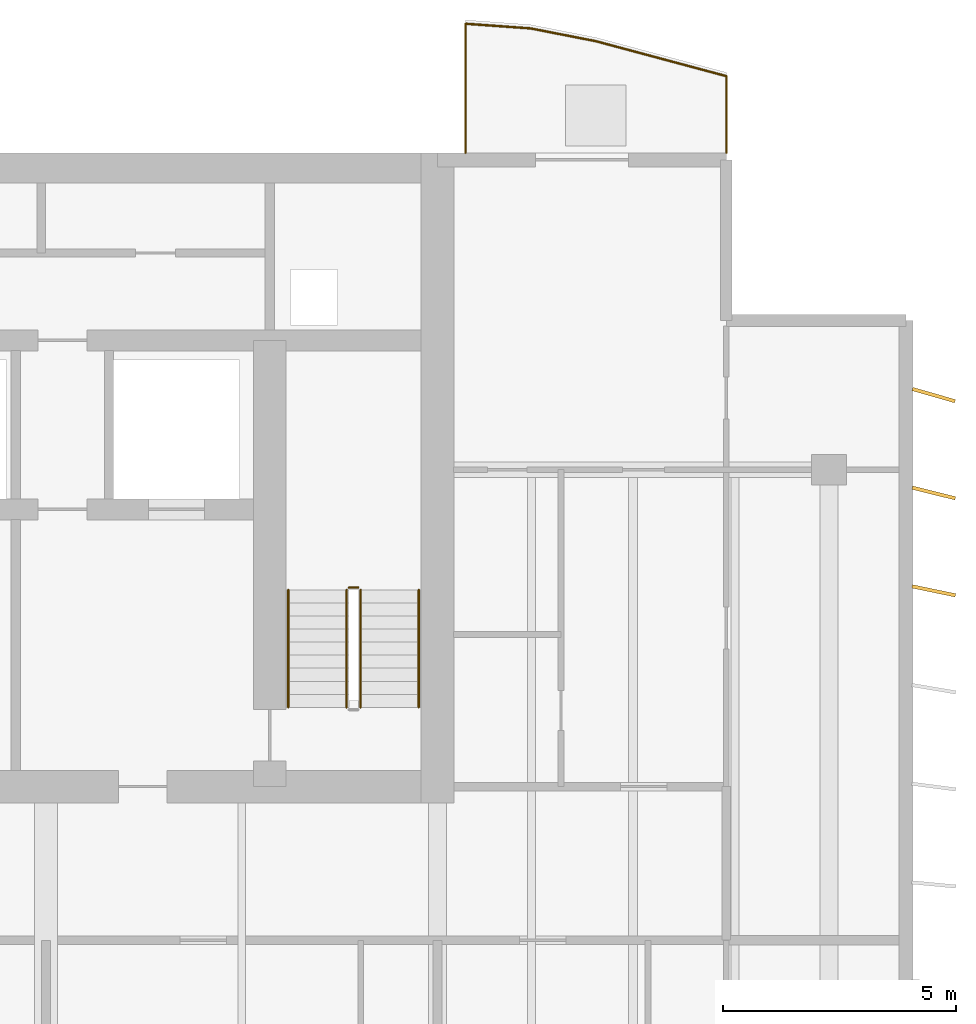
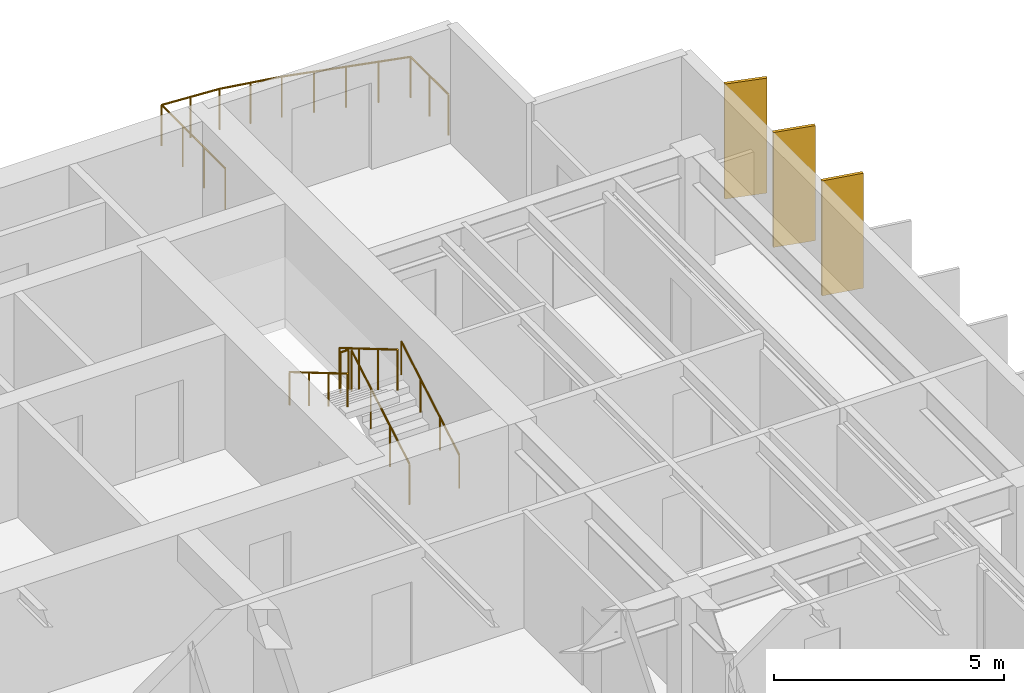
# One storey, part 17 of 17: 6 railings, 3 shading devices.
"""IFC4 building model written with IfcOpenShell, lengths in metres."""

from ifc_helpers import new_model, si_unit, direction, frame, origin, origin_2d, place, context, subcontext, project, spatial, rectangle, circle, extrude, material, material_profile, profile_set, type_object, element, save


model = new_model("IFC4")

# Units and contexts
model_context = context("Model", 3, precision=1e-05, world=origin(), true_north=direction((0.0, 1.0)))
body_context = subcontext(model_context, "Body", "Model", "MODEL_VIEW")
ifc_project = project(units=[si_unit("LENGTHUNIT", "METRE"), si_unit("AREAUNIT", "SQUARE_METRE"), si_unit("VOLUMEUNIT", "CUBIC_METRE"), si_unit("PLANEANGLEUNIT", "RADIAN"), si_unit("MASSUNIT", "GRAM", prefix="KILO")], contexts=[model_context])

# Site, building, storey
site_placement = place(None, origin())
site = spatial("IfcSite", under=ifc_project, at=site_placement, CompositionType="ELEMENT")
building_placement = place(site_placement, origin())
building = spatial("IfcBuilding", under=site, at=building_placement, Name="Caelmar Bay Residences", CompositionType="ELEMENT")
storey_placement = place(building_placement, frame((0.0, 0.0, 246.300048828125)))
storey = spatial("IfcBuildingStorey", under=building, at=storey_placement, Name="L69", CompositionType="ELEMENT", Elevation=246.300048828125)

# Railings
ifc_material_1 = material(Name="Anodised bronze handrail with laminated hurricane glass infill", Category="glass")
railing_type_1 = type_object("IfcRailingType", Name="RL-BAL-1100", PredefinedType="BALUSTRADE", material=ifc_material_1)
railing_1_placement = place(storey_placement, frame((65.699951171875, 50.60009765625, 0.0)))
element("IfcRailing", 1, at=railing_1_placement, inside=storey, type_object=railing_type_1, Name="L69 north_east Balcony Balustrade", PredefinedType="BALUSTRADE", context=body_context, shape_type="SweptSolid", body=[
    extrude(circle(Radius=0.02392578125, at=origin_2d()), frame((0.0, 0.0, 1.076171875), z_axis=(0.0, 1.0, 0.0), x_axis=(-1.0, 0.0, 0.0)), (0.0, 0.0, 1.0), 1.64501953125),
    extrude(circle(Radius=0.02392578125, at=origin_2d()), frame((0.0, 1.64501953125, 1.076171875), z_axis=(-0.965943540406, 0.258752926066, 0.0), x_axis=(-0.258752926066, -0.965943540406, 0.0)), (0.0, 0.0, 1.0), 1.44921875),
    extrude(circle(Radius=0.02392578125, at=origin_2d()), frame((-1.39990234375, 2.02001953125, 1.076171875), z_axis=(-0.965954816498, 0.258710827923, 0.0), x_axis=(-0.258710827923, -0.965954816498, 0.0)), (0.0, 0.0, 1.0), 1.449462890625),
    extrude(circle(Radius=0.02392578125, at=origin_2d()), frame((-2.800048828125, 2.39501953125, 1.076171875), z_axis=(-0.981323886264, 0.192362756917, 0.0), x_axis=(-0.192362756917, -0.981323886264, 0.0)), (0.0, 0.0, 1.0), 1.426513671875),
    extrude(circle(Radius=0.02392578125, at=origin_2d()), frame((-4.199951171875, 2.66943359375, 1.076171875), z_axis=(-0.997428589471, 0.071667348947, 0.0), x_axis=(-0.071667348947, -0.997428589471, 0.0)), (0.0, 0.0, 1.0), 1.403564453125),
    extrude(circle(Radius=0.02392578125, at=origin_2d()), frame((-5.599853515625, 2.77001953125, 1.076171875), z_axis=(0.0, -1.0, 0.0), x_axis=(1.0, 0.0, 0.0)), (0.0, 0.0, 1.0), 2.77001953125),
    extrude(circle(Radius=0.02099609375, at=origin_2d()), origin(), (0.0, 0.0, 1.0), 1.052001953125),
    extrude(circle(Radius=0.02099609375, at=origin_2d()), frame((0.0, 0.822509765625, 0.0)), (0.0, 0.0, 1.0), 1.052001953125),
    extrude(circle(Radius=0.02099609375, at=origin_2d()), frame((0.0, 1.64501953125, 0.0)), (0.0, 0.0, 1.0), 1.052001953125),
    extrude(circle(Radius=0.02099609375, at=origin_2d()), frame((-0.699951171875, 1.83251953125, 0.0)), (0.0, 0.0, 1.0), 1.052001953125),
    extrude(circle(Radius=0.02099609375, at=origin_2d()), frame((-1.39990234375, 2.02001953125, 0.0)), (0.0, 0.0, 1.0), 1.052001953125),
    extrude(circle(Radius=0.02099609375, at=origin_2d()), frame((-2.10009765625, 2.20751953125, 0.0)), (0.0, 0.0, 1.0), 1.052001953125),
    extrude(circle(Radius=0.02099609375, at=origin_2d()), frame((-2.800048828125, 2.39501953125, 0.0)), (0.0, 0.0, 1.0), 1.052001953125),
    extrude(circle(Radius=0.02099609375, at=origin_2d()), frame((-3.5, 2.5322265625, 0.0)), (0.0, 0.0, 1.0), 1.052001953125),
    extrude(circle(Radius=0.02099609375, at=origin_2d()), frame((-4.199951171875, 2.66943359375, 0.0)), (0.0, 0.0, 1.0), 1.052001953125),
    extrude(circle(Radius=0.02099609375, at=origin_2d()), frame((-4.89990234375, 2.7197265625, 0.0)), (0.0, 0.0, 1.0), 1.052001953125),
    extrude(circle(Radius=0.02099609375, at=origin_2d()), frame((-5.599853515625, 2.77001953125, 0.0)), (0.0, 0.0, 1.0), 1.052001953125),
    extrude(circle(Radius=0.02099609375, at=origin_2d()), frame((-5.599853515625, 1.8466796875, 0.0)), (0.0, 0.0, 1.0), 1.052001953125),
    extrude(circle(Radius=0.02099609375, at=origin_2d()), frame((-5.599853515625, 0.92333984375, 0.0)), (0.0, 0.0, 1.0), 1.052001953125),
    extrude(circle(Radius=0.02099609375, at=origin_2d()), frame((-5.599853515625, 0.0, 0.0)), (0.0, 0.0, 1.0), 1.052001953125),
])
ifc_material_2 = material(Name="Painted galvanized steel stair guard 1100 mm", Category="steel")
railing_type_2 = type_object("IfcRailingType", Name="RL-GRD-1100", PredefinedType="GUARDRAIL", material=ifc_material_2)
railing_2_placement = place(storey_placement, frame((57.85009765625, 38.699951171875, 0.1650390625)))
element("IfcRailing", 2, at=railing_2_placement, inside=storey, type_object=railing_type_2, Name="L69 ST2 stair guard 1", PredefinedType="GUARDRAIL", context=body_context, shape_type="SweptSolid", body=[
    extrude(circle(Radius=0.02392578125, at=origin_2d()), frame((0.0, 0.0, 1.076171875), z_axis=(0.0, 0.861560626758, 0.507654692109), x_axis=(-1.0, 0.0, 0.0)), (0.0, 0.0, 1.0), 2.925048828125),
    extrude(circle(Radius=0.02099609375, at=origin_2d()), origin(), (0.0, 0.0, 1.0), 1.052001953125),
    extrude(circle(Radius=0.02099609375, at=origin_2d()), frame((0.0, 0.840087890625, 0.494873046875)), (0.0, 0.0, 1.0), 1.052001953125),
    extrude(circle(Radius=0.02099609375, at=origin_2d()), frame((0.0, 1.679931640625, 0.989990234375)), (0.0, 0.0, 1.0), 1.052001953125),
    extrude(circle(Radius=0.02099609375, at=origin_2d()), frame((0.0, 2.52001953125, 1.48486328125)), (0.0, 0.0, 1.0), 1.052001953125),
])
railing_3_placement = place(storey_placement, frame((57.800048828125, 41.27001953125, 1.64990234375)))
element("IfcRailing", 3, at=railing_3_placement, inside=storey, type_object=railing_type_2, Name="L69 ST2 stair guard 2", PredefinedType="GUARDRAIL", context=body_context, shape_type="SweptSolid", body=[
    extrude(circle(Radius=0.02392578125, at=origin_2d()), frame((0.0, 0.0, 1.076171875), z_axis=(-1.0, 0.0, 0.0), x_axis=(0.0, -1.0, 0.0)), (0.0, 0.0, 1.0), 0.199951171875),
    extrude(circle(Radius=0.02099609375, at=origin_2d()), origin(), (0.0, 0.0, 1.0), 1.052001953125),
    extrude(circle(Radius=0.02099609375, at=origin_2d()), frame((-0.199951171875, 0.0, 0.0)), (0.0, 0.0, 1.0), 1.052001953125),
])
railing_4_placement = place(storey_placement, frame((57.550048828125, 41.219970703125, 1.81494140625)))
element("IfcRailing", 4, at=railing_4_placement, inside=storey, type_object=railing_type_2, Name="L69 ST2 stair guard 3", PredefinedType="GUARDRAIL", context=body_context, shape_type="SweptSolid", body=[
    extrude(circle(Radius=0.02392578125, at=origin_2d()), frame((0.0, 0.0, 1.076171875), z_axis=(0.0, -0.86152411907, 0.507716645641), x_axis=(1.0, 0.0, 0.0)), (0.0, 0.0, 1.0), 2.925048828125),
    extrude(circle(Radius=0.02099609375, at=origin_2d()), origin(), (0.0, 0.0, 1.0), 1.052001953125),
    extrude(circle(Radius=0.02099609375, at=origin_2d()), frame((0.0, -0.840087890625, 0.4951171875)), (0.0, 0.0, 1.0), 1.052001953125),
    extrude(circle(Radius=0.02099609375, at=origin_2d()), frame((0.0, -1.679931640625, 0.989990234375)), (0.0, 0.0, 1.0), 1.052001953125),
    extrude(circle(Radius=0.02099609375, at=origin_2d()), frame((0.0, -2.52001953125, 1.485107421875)), (0.0, 0.0, 1.0), 1.052001953125),
])
ifc_material_3 = material(Name="Brushed bronze stainless-steel tubular handrail 900 mm", Category="steel")
railing_type_3 = type_object("IfcRailingType", Name="RL-HND-900", PredefinedType="HANDRAIL", material=ifc_material_3)
railing_5_placement = place(storey_placement, frame((59.10009765625, 38.699951171875, 0.1650390625)))
element("IfcRailing", 5, at=railing_5_placement, inside=storey, type_object=railing_type_3, Name="L69 ST2 stair handrail 1", PredefinedType="HANDRAIL", context=body_context, shape_type="SweptSolid", body=[
    extrude(circle(Radius=0.02392578125, at=origin_2d()), frame((0.0, 0.0, 0.8759765625), z_axis=(0.0, 0.861560626758, 0.507654692109), x_axis=(-1.0, 0.0, 0.0)), (0.0, 0.0, 1.0), 2.925048828125),
    extrude(circle(Radius=0.02099609375, at=origin_2d()), origin(), (0.0, 0.0, 1.0), 0.851806640625),
    extrude(circle(Radius=0.02099609375, at=origin_2d()), frame((0.0, 0.840087890625, 0.494873046875)), (0.0, 0.0, 1.0), 0.851806640625),
    extrude(circle(Radius=0.02099609375, at=origin_2d()), frame((0.0, 1.679931640625, 0.989990234375)), (0.0, 0.0, 1.0), 0.851806640625),
    extrude(circle(Radius=0.02099609375, at=origin_2d()), frame((0.0, 2.52001953125, 1.48486328125)), (0.0, 0.0, 1.0), 0.851806640625),
])
railing_6_placement = place(storey_placement, frame((56.300048828125, 41.219970703125, 1.81494140625)))
element("IfcRailing", 6, at=railing_6_placement, inside=storey, type_object=railing_type_3, Name="L69 ST2 stair handrail 2", PredefinedType="HANDRAIL", context=body_context, shape_type="SweptSolid", body=[
    extrude(circle(Radius=0.02392578125, at=origin_2d()), frame((0.0, 0.0, 0.8759765625), z_axis=(0.0, -0.86152411907, 0.507716645641), x_axis=(1.0, 0.0, 0.0)), (0.0, 0.0, 1.0), 2.925048828125),
    extrude(circle(Radius=0.02099609375, at=origin_2d()), origin(), (0.0, 0.0, 1.0), 0.851806640625),
    extrude(circle(Radius=0.02099609375, at=origin_2d()), frame((0.0, -0.840087890625, 0.4951171875)), (0.0, 0.0, 1.0), 0.851806640625),
    extrude(circle(Radius=0.02099609375, at=origin_2d()), frame((0.0, -1.679931640625, 0.989990234375)), (0.0, 0.0, 1.0), 0.851806640625),
    extrude(circle(Radius=0.02099609375, at=origin_2d()), frame((0.0, -2.52001953125, 1.485107421875)), (0.0, 0.0, 1.0), 0.851806640625),
])

# Shading devices
ifc_material_4 = material(Name="Anodised architectural bronze aluminium 6063-T6", Category="aluminium")
ifc_material_profile = material_profile(ifc_material_4, rectangle(XDim=0.074951171875, YDim=0.949951171875, at=origin_2d()), Name="BRONZE-FIN-75X950")
ifc_profile_set = profile_set([ifc_material_profile], Name="Anodised architectural bronze aluminium 6063-T6")
shading_device_type = type_object("IfcShadingDeviceType", Name="SHD-FIN-950", PredefinedType="USERDEFINED", material=ifc_profile_set)
for number, where, z_axis, x_axis, name in (
    (7, (70.14990234375, 41.199951171875, 0.0), (0.0, 0.0, 1.0), (0.2032999874, 0.979116497217, 0.0), "L69 East Bronze Solar Fin 14"),
    (8, (70.14990234375, 43.300048828125, 0.0), (0.0, 0.0, 1.0), (0.239719743609, 0.970842131618, 0.0), "L69 East Bronze Solar Fin 15"),
    (9, (70.14990234375, 45.39990234375, 0.0), (0.0, 0.0, 1.0), (0.275637355817, 0.961261695938, 0.0), "L69 East Bronze Solar Fin 16"),
):
    element("IfcShadingDevice", number, at=place(storey_placement, frame(where, z_axis=z_axis, x_axis=x_axis)), inside=storey, type_object=shading_device_type, Name=name, ObjectType="FIN", PredefinedType="USERDEFINED", context=body_context, shape_type="SweptSolid", body=[
        extrude(rectangle(XDim=0.074951171875, YDim=0.949951171875, at=origin_2d()), origin(), (0.0, 0.0, 1.0), 3.050048828125),
    ])

save(model, "model.ifc")
